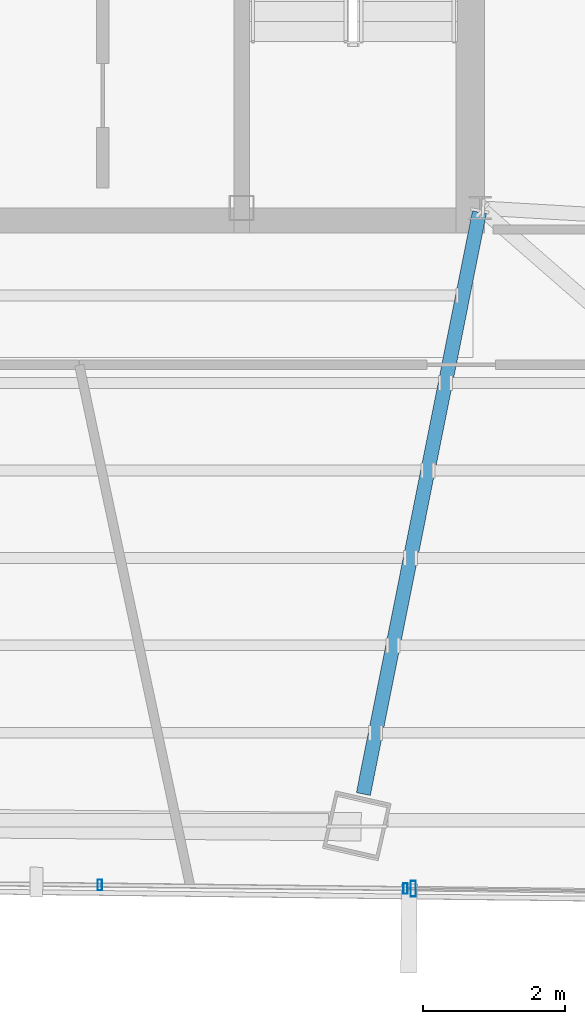
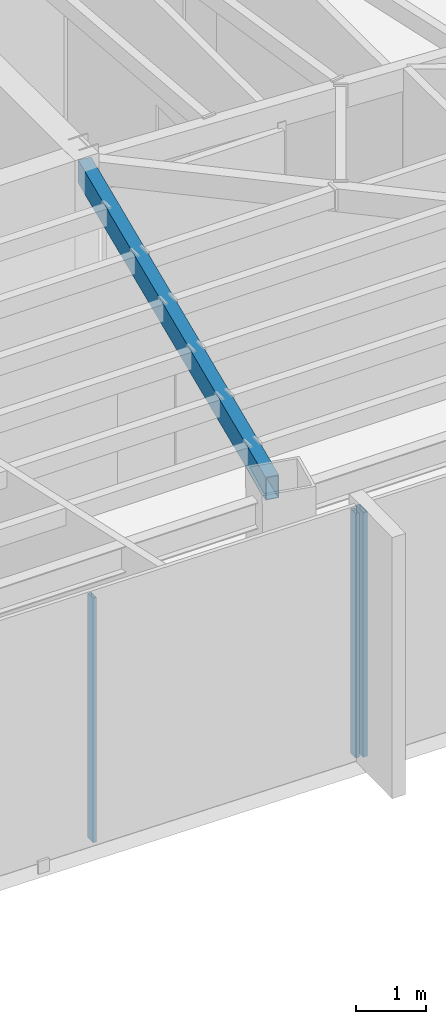
# One storey, part 9 of 37: 3 members, 1 beam, 2 elements without a shape of their own.
"""IFC4 building model written with IfcOpenShell, lengths in metres."""

from ifc_helpers import new_model, si_unit, direction, frame, origin, origin_2d, place, context, subcontext, project, spatial, hollow_rectangle, extrude, source, transform, mapped, material, material_profile, profile_set, type_object, type_shapes, element, aggregate, save


model = new_model("IFC4")

# Units and contexts
model_context = context("Model", 3, precision=1e-05, world=origin(), true_north=direction((0.0, 1.0)))
body_context = subcontext(model_context, "Body", "Model", "MODEL_VIEW")
ifc_project = project(units=[si_unit("LENGTHUNIT", "METRE"), si_unit("AREAUNIT", "SQUARE_METRE"), si_unit("VOLUMEUNIT", "CUBIC_METRE"), si_unit("PLANEANGLEUNIT", "RADIAN"), si_unit("MASSUNIT", "GRAM", prefix="KILO")], contexts=[model_context])

# Site, building, storey
site_placement = place(None, origin())
site = spatial("IfcSite", under=ifc_project, at=site_placement, CompositionType="ELEMENT")
building_placement = place(site_placement, origin())
building = spatial("IfcBuilding", under=site, at=building_placement, Name="Caelisora Broadcast Tower", CompositionType="ELEMENT")
storey_placement = place(building_placement, frame((0.0, 0.0, 225.35009765625)))
storey = spatial("IfcBuildingStorey", under=building, at=storey_placement, Name="L59", CompositionType="ELEMENT", Elevation=225.35009765625)

# Beam
ifc_material_1 = material(Name="Steel Grade 350 (AS/NZS 1163 C350L0)", Category="steel")
ifc_material_profile_1 = material_profile(ifc_material_1, hollow_rectangle(XDim=0.199951171875, YDim=0.39990234375, WallThickness=0.012451171875, at=origin_2d()), Name="Steel Grade 350 (AS/NZS 1163 C350L0)")
ifc_profile_set_1 = profile_set([ifc_material_profile_1], Name="Steel Grade 350 (AS/NZS 1163 C350L0)")
beam_type = type_object("IfcBeamType", Name="PG07", PredefinedType="BEAM", material=ifc_profile_set_1)
shared_shape_1 = source(origin(), body_context, "Body", "SweptSolid", [
    extrude(hollow_rectangle(XDim=0.199951171875, YDim=0.39990234375, WallThickness=0.012451171875, at=origin_2d()), origin(), (0.0, 0.0, 1.0), 8.327392578125),
])
type_shapes(beam_type, [shared_shape_1])
beam_placement = place(storey_placement, frame((45.48828125, 17.34130859375, 4.0498046875), z_axis=(-0.195665075744, -0.980670779688, 0.0), x_axis=(0.980670779688, -0.195665075744, 0.0)))
element("IfcBeam", 1, at=beam_placement, inside=storey, type_object=beam_type, Name="L59 beam PG07", PredefinedType="BEAM", context=body_context, shape_type="MappedRepresentation", body=[
    mapped(shared_shape_1, transform((0.0, 0.0, 0.0), scale=1.0)),
])

# Curtain wall, member
ifc_material_2 = material(Name="Unitised Aluminium and Low-E Glass Curtain Wall", Category="glass")
curtain_wall_type_1 = type_object("IfcCurtainWallType", Name="CW-SKY", PredefinedType="NOTDEFINED", material=ifc_material_2)
curtain_wall_1_placement = place(storey_placement, origin())
curtain_wall_1 = element("IfcCurtainWall", 2, at=curtain_wall_1_placement, inside=storey, type_object=curtain_wall_type_1, Name="L59 curtain wall CW-SKY", PredefinedType="NOTDEFINED")
ifc_material_3 = material(Name="Aluminium 6063-T6 Anodised Terracotta Bronze", Category="aluminium")
ifc_material_profile_2 = material_profile(ifc_material_3, hollow_rectangle(XDim=0.074951171875, YDim=0.219970703125, WallThickness=0.00390625, at=origin_2d()), Name="Aluminium 6063-T6 Anodised Terracotta Bronze")
ifc_profile_set_2 = profile_set([ifc_material_profile_2], Name="Aluminium 6063-T6 Anodised Terracotta Bronze")
member_type_1 = type_object("IfcMemberType", Name="CWM-01", PredefinedType="MULLION", material=ifc_profile_set_2)
shared_shape_2 = source(origin(), body_context, "Body", "SweptSolid", [
    extrude(hollow_rectangle(XDim=0.074951171875, YDim=0.219970703125, WallThickness=0.00390625, at=origin_2d()), origin(), (0.0, 0.0, 1.0), 4.25),
])
type_shapes(member_type_1, [shared_shape_2])
member_1_placement = place(storey_placement, frame((44.56005859375, 7.84619140625, 0.0), z_axis=(0.0, 0.0, 1.0), x_axis=(1.0, 0.0, 0.0)))
member_1 = element("IfcMember", 3, at=member_1_placement, type_object=member_type_1, Name="L59-CW-B05 mullion #3", PredefinedType="MULLION", context=body_context, shape_type="MappedRepresentation", body=[
    mapped(shared_shape_2, transform((0.0, 0.0, 0.0), scale=1.0)),
])
aggregate(curtain_wall_1, [member_1])

# Curtain wall, members
ifc_material_4 = material(Name="Unitised Aluminium Insulated Shadow-Box Spandrel Curtain Wall", Category="aluminium")
curtain_wall_type_2 = type_object("IfcCurtainWallType", Name="CW-SP2", PredefinedType="NOTDEFINED", material=ifc_material_4)
curtain_wall_2_placement = place(storey_placement, origin())
curtain_wall_2 = element("IfcCurtainWall", 4, at=curtain_wall_2_placement, inside=storey, type_object=curtain_wall_type_2, Name="L59 curtain wall CW-SP2", PredefinedType="NOTDEFINED")
ifc_material_profile_3 = material_profile(ifc_material_3, hollow_rectangle(XDim=0.06005859375, YDim=0.14990234375, WallThickness=0.00341796875, at=origin_2d()), Name="Aluminium 6063-T6 Anodised Terracotta Bronze")
ifc_profile_set_3 = profile_set([ifc_material_profile_3], Name="Aluminium 6063-T6 Anodised Terracotta Bronze")
member_type_2 = type_object("IfcMemberType", Name="CWM-03", PredefinedType="MULLION", material=ifc_profile_set_3)
shared_shape_3 = source(origin(), body_context, "Body", "SweptSolid", [
    extrude(hollow_rectangle(XDim=0.06005859375, YDim=0.14990234375, WallThickness=0.00341796875, at=origin_2d()), origin(), (0.0, 0.0, 1.0), 4.25),
])
type_shapes(member_type_2, [shared_shape_3])
member_2_placement = place(storey_placement, frame((44.4501953125, 7.847412109375, 0.0), z_axis=(0.0, 0.0, 1.0), x_axis=(1.0, 0.0, 0.0)))
member_2 = element("IfcMember", 5, at=member_2_placement, type_object=member_type_2, Name="L59-CW-B06 mullion #0", PredefinedType="MULLION", context=body_context, shape_type="MappedRepresentation", body=[
    mapped(shared_shape_3, transform((0.0, 0.0, 0.0), scale=1.0)),
])
member_3_placement = place(storey_placement, frame((40.16064453125, 7.897216796875, 0.0), z_axis=(0.0, 0.0, 1.0), x_axis=(1.0, 0.0, 0.0)))
member_3 = element("IfcMember", 6, at=member_3_placement, type_object=member_type_2, Name="L59-CW-B06 mullion #1", PredefinedType="MULLION", context=body_context, shape_type="MappedRepresentation", body=[
    mapped(shared_shape_3, transform((0.0, 0.0, 0.0), scale=1.0)),
])
aggregate(curtain_wall_2, [member_2, member_3])

save(model, "model.ifc")
